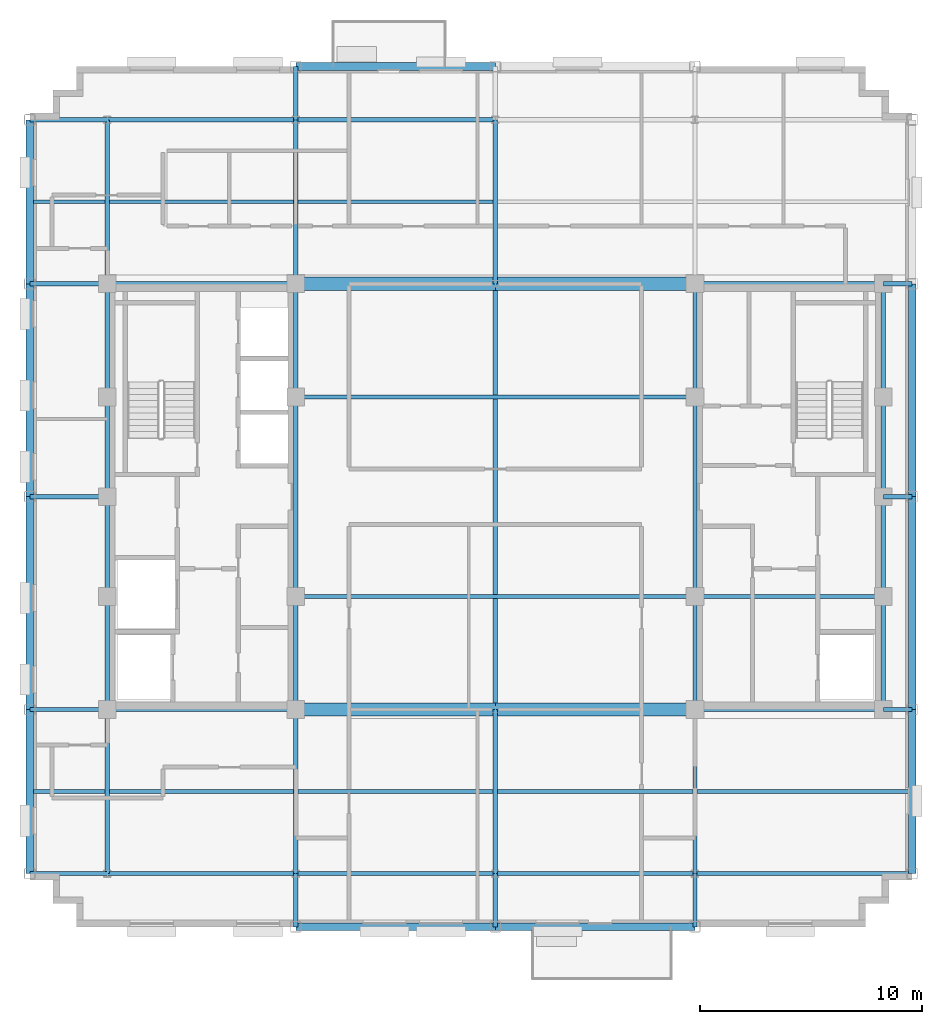
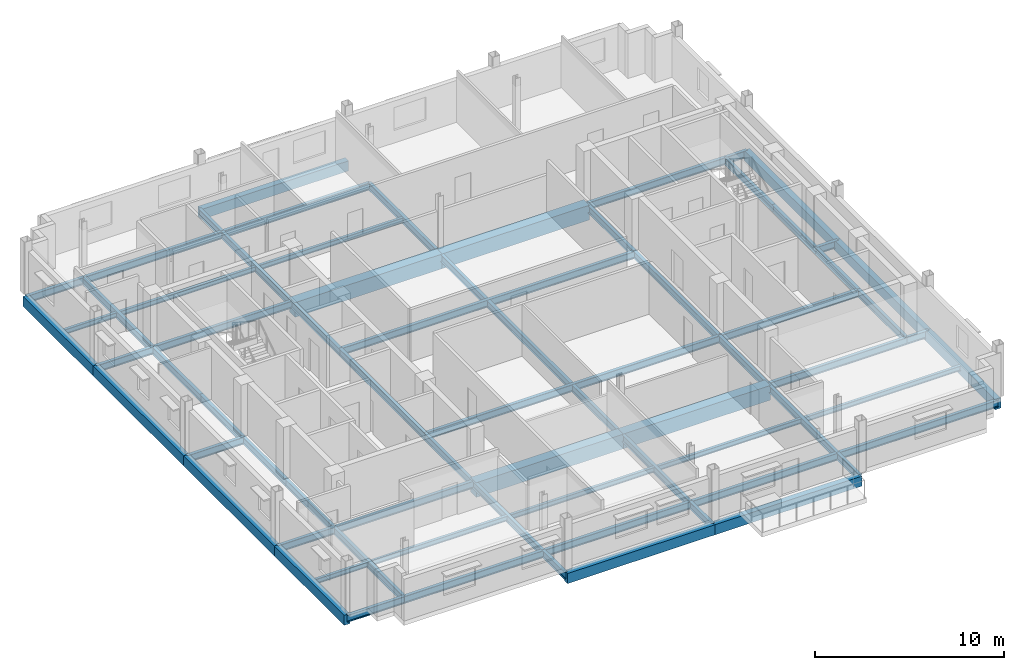
# One storey, part 4 of 13: 69 beams.
"""IFC4 building model written with IfcOpenShell, lengths in metres."""

from ifc_helpers import new_model, si_unit, direction, frame, origin, origin_2d, place, context, subcontext, project, spatial, rectangle, i_section, extrude, material, material_profile, profile_set, type_object, element, save


model = new_model("IFC4")

# Units and contexts
model_context = context("Model", 3, precision=1e-05, world=origin(), true_north=direction((0.0, 1.0)))
body_context = subcontext(model_context, "Body", "Model", "MODEL_VIEW")
ifc_project = project(units=[si_unit("LENGTHUNIT", "METRE"), si_unit("AREAUNIT", "SQUARE_METRE"), si_unit("VOLUMEUNIT", "CUBIC_METRE"), si_unit("PLANEANGLEUNIT", "RADIAN"), si_unit("MASSUNIT", "GRAM", prefix="KILO")], contexts=[model_context])

# Site, building, storey
site_placement = place(None, origin())
site = spatial("IfcSite", under=ifc_project, at=site_placement, CompositionType="ELEMENT")
building_placement = place(site_placement, origin())
building = spatial("IfcBuilding", under=site, at=building_placement, Name="Nuvemarco Arch Tower", CompositionType="ELEMENT")
storey_placement = place(building_placement, frame((0.0, 0.0, 265.25)))
storey = spatial("IfcBuildingStorey", under=building, at=storey_placement, Name="L70", CompositionType="ELEMENT", Elevation=265.25)

# Beams
ifc_material_1 = material(Name="Concrete C60/75", Category="concrete")
ifc_material_profile_1 = material_profile(ifc_material_1, rectangle(XDim=0.60009765625, YDim=0.949951171875, at=origin_2d()), Name="RC-BM-600x950")
ifc_profile_set_1 = profile_set([ifc_material_profile_1], Name="Concrete C60/75")
beam_type_1 = type_object("IfcBeamType", Name="BM-COUP-RC", PredefinedType="LINTEL", material=ifc_profile_set_1)
for number, where, z_axis, x_axis, name in (
    (1, (-9.0, -9.60009765625, -0.7548828125), (1.0, 0.0, 0.0), (0.0, 1.0, 0.0), "L70 structural beam BGEW_L70_0_-9.6_-9.0"),
    (2, (0.0, -9.60009765625, -0.7548828125), (1.0, 0.0, 0.0), (0.0, 1.0, 0.0), "L70 structural beam BGEW_L70_0_-9.6_+0.0"),
    (3, (-9.0, 9.60009765625, -0.7548828125), (1.0, 0.0, 0.0), (0.0, 1.0, 0.0), "L70 structural beam BGEW_L70_0_+9.6_-9.0"),
    (4, (0.0, 9.60009765625, -0.7548828125), (1.0, 0.0, 0.0), (0.0, 1.0, 0.0), "L70 structural beam BGEW_L70_0_+9.6_+0.0"),
):
    element("IfcBeam", number, at=place(storey_placement, frame(where, z_axis=z_axis, x_axis=x_axis)), inside=storey, type_object=beam_type_1, Name=name, PredefinedType="LINTEL", context=body_context, shape_type="SweptSolid", body=[
        extrude(rectangle(XDim=0.60009765625, YDim=0.949951171875, at=origin_2d()), origin(), (0.0, 0.0, 1.0), 9.0),
    ])
ifc_material_2 = material(Name="Steel S355", Category="steel")
ifc_material_profile_2 = material_profile(ifc_material_2, i_section(OverallWidth=0.19189453125, OverallDepth=0.462890625, WebThickness=0.010498046875, FlangeThickness=0.017578125, FilletRadius=0.014892578125, at=origin_2d()), Name="W460x89")
ifc_profile_set_2 = profile_set([ifc_material_profile_2], Name="Steel S355")
beam_type_2 = type_object("IfcBeamType", Name="BM-GIRD-460", PredefinedType="BEAM", material=ifc_profile_set_2)
beam_1_placement = place(storey_placement, frame((-17.5, -17.0, -0.511474609375), z_axis=(0.0, 1.0, 0.0), x_axis=(-1.0, 0.0, 0.0)))
element("IfcBeam", 5, at=beam_1_placement, inside=storey, type_object=beam_type_2, Name="L70 structural beam BGNS_L70_0_-17.5_-17.0", PredefinedType="BEAM", context=body_context, shape_type="SweptSolid", body=[
    extrude(i_section(OverallWidth=0.19189453125, OverallDepth=0.462890625, WebThickness=0.010498046875, FlangeThickness=0.017578125, FilletRadius=0.014892578125, at=origin_2d()), origin(), (0.0, 0.0, 1.0), 7.39990234375),
])
beam_2_placement = place(storey_placement, frame((-17.5, -9.60009765625, -0.511474609375), z_axis=(0.0, 1.0, 0.0), x_axis=(-1.0, 0.0, 0.0)))
element("IfcBeam", 6, at=beam_2_placement, inside=storey, type_object=beam_type_2, Name="L70 structural beam BGNS_L70_0_-17.5_-9.6", PredefinedType="BEAM", context=body_context, shape_type="SweptSolid", body=[
    extrude(i_section(OverallWidth=0.19189453125, OverallDepth=0.462890625, WebThickness=0.010498046875, FlangeThickness=0.017578125, FilletRadius=0.014892578125, at=origin_2d()), origin(), (0.0, 0.0, 1.0), 5.10009765625),
])
for number, where, z_axis, x_axis, name in (
    (7, (-17.5, -4.5, -0.511474609375), (0.0, 1.0, 0.0), (-1.0, 0.0, 0.0), "L70 structural beam BGNS_L70_0_-17.5_-4.5"),
    (8, (-17.5, 0.0, -0.511474609375), (0.0, 1.0, 0.0), (-1.0, 0.0, 0.0), "L70 structural beam BGNS_L70_0_-17.5_+0.0"),
):
    element("IfcBeam", number, at=place(storey_placement, frame(where, z_axis=z_axis, x_axis=x_axis)), inside=storey, type_object=beam_type_2, Name=name, PredefinedType="BEAM", context=body_context, shape_type="SweptSolid", body=[
        extrude(i_section(OverallWidth=0.19189453125, OverallDepth=0.462890625, WebThickness=0.010498046875, FlangeThickness=0.017578125, FilletRadius=0.014892578125, at=origin_2d()), origin(), (0.0, 0.0, 1.0), 4.5),
    ])
beam_3_placement = place(storey_placement, frame((-17.5, 4.5, -0.511474609375), z_axis=(0.0, 1.0, 0.0), x_axis=(-1.0, 0.0, 0.0)))
element("IfcBeam", 9, at=beam_3_placement, inside=storey, type_object=beam_type_2, Name="L70 structural beam BGNS_L70_0_-17.5_+4.5", PredefinedType="BEAM", context=body_context, shape_type="SweptSolid", body=[
    extrude(i_section(OverallWidth=0.19189453125, OverallDepth=0.462890625, WebThickness=0.010498046875, FlangeThickness=0.017578125, FilletRadius=0.014892578125, at=origin_2d()), origin(), (0.0, 0.0, 1.0), 5.10009765625),
])
beam_4_placement = place(storey_placement, frame((-17.5, 9.60009765625, -0.511474609375), z_axis=(0.0, 1.0, 0.0), x_axis=(-1.0, 0.0, 0.0)))
element("IfcBeam", 10, at=beam_4_placement, inside=storey, type_object=beam_type_2, Name="L70 structural beam BGNS_L70_0_-17.5_+9.6", PredefinedType="BEAM", context=body_context, shape_type="SweptSolid", body=[
    extrude(i_section(OverallWidth=0.19189453125, OverallDepth=0.462890625, WebThickness=0.010498046875, FlangeThickness=0.017578125, FilletRadius=0.014892578125, at=origin_2d()), origin(), (0.0, 0.0, 1.0), 7.39990234375),
])
beam_5_placement = place(storey_placement, frame((-9.0, -19.39990234375, -0.511474609375), z_axis=(0.0, 1.0, 0.0), x_axis=(-1.0, 0.0, 0.0)))
element("IfcBeam", 11, at=beam_5_placement, inside=storey, type_object=beam_type_2, Name="L70 structural beam BGNS_L70_0_-9.0_-19.4", PredefinedType="BEAM", context=body_context, shape_type="SweptSolid", body=[
    extrude(i_section(OverallWidth=0.19189453125, OverallDepth=0.462890625, WebThickness=0.010498046875, FlangeThickness=0.017578125, FilletRadius=0.014892578125, at=origin_2d()), origin(), (0.0, 0.0, 1.0), 2.39990234375),
])
beam_6_placement = place(storey_placement, frame((-9.0, -17.0, -0.511474609375), z_axis=(0.0, 1.0, 0.0), x_axis=(-1.0, 0.0, 0.0)))
element("IfcBeam", 12, at=beam_6_placement, inside=storey, type_object=beam_type_2, Name="L70 structural beam BGNS_L70_0_-9.0_-17.0", PredefinedType="BEAM", context=body_context, shape_type="SweptSolid", body=[
    extrude(i_section(OverallWidth=0.19189453125, OverallDepth=0.462890625, WebThickness=0.010498046875, FlangeThickness=0.017578125, FilletRadius=0.014892578125, at=origin_2d()), origin(), (0.0, 0.0, 1.0), 7.39990234375),
])
beam_7_placement = place(storey_placement, frame((-9.0, -9.60009765625, -0.511474609375), z_axis=(0.0, 1.0, 0.0), x_axis=(-1.0, 0.0, 0.0)))
element("IfcBeam", 13, at=beam_7_placement, inside=storey, type_object=beam_type_2, Name="L70 structural beam BGNS_L70_0_-9.0_-9.6", PredefinedType="BEAM", context=body_context, shape_type="SweptSolid", body=[
    extrude(i_section(OverallWidth=0.19189453125, OverallDepth=0.462890625, WebThickness=0.010498046875, FlangeThickness=0.017578125, FilletRadius=0.014892578125, at=origin_2d()), origin(), (0.0, 0.0, 1.0), 5.10009765625),
])
beam_8_placement = place(storey_placement, frame((-9.0, -4.5, -0.511474609375), z_axis=(0.0, 1.0, 0.0), x_axis=(-1.0, 0.0, 0.0)))
element("IfcBeam", 14, at=beam_8_placement, inside=storey, type_object=beam_type_2, Name="L70 structural beam BGNS_L70_0_-9.0_-4.5", PredefinedType="BEAM", context=body_context, shape_type="SweptSolid", body=[
    extrude(i_section(OverallWidth=0.19189453125, OverallDepth=0.462890625, WebThickness=0.010498046875, FlangeThickness=0.017578125, FilletRadius=0.014892578125, at=origin_2d()), origin(), (0.0, 0.0, 1.0), 9.0),
])
beam_9_placement = place(storey_placement, frame((-9.0, 4.5, -0.511474609375), z_axis=(0.0, 1.0, 0.0), x_axis=(-1.0, 0.0, 0.0)))
element("IfcBeam", 15, at=beam_9_placement, inside=storey, type_object=beam_type_2, Name="L70 structural beam BGNS_L70_0_-9.0_+4.5", PredefinedType="BEAM", context=body_context, shape_type="SweptSolid", body=[
    extrude(i_section(OverallWidth=0.19189453125, OverallDepth=0.462890625, WebThickness=0.010498046875, FlangeThickness=0.017578125, FilletRadius=0.014892578125, at=origin_2d()), origin(), (0.0, 0.0, 1.0), 5.10009765625),
])
beam_10_placement = place(storey_placement, frame((-9.0, 9.60009765625, -0.511474609375), z_axis=(0.0, 1.0, 0.0), x_axis=(-1.0, 0.0, 0.0)))
element("IfcBeam", 16, at=beam_10_placement, inside=storey, type_object=beam_type_2, Name="L70 structural beam BGNS_L70_0_-9.0_+9.6", PredefinedType="BEAM", context=body_context, shape_type="SweptSolid", body=[
    extrude(i_section(OverallWidth=0.19189453125, OverallDepth=0.462890625, WebThickness=0.010498046875, FlangeThickness=0.017578125, FilletRadius=0.014892578125, at=origin_2d()), origin(), (0.0, 0.0, 1.0), 7.39990234375),
])
for number, where, z_axis, x_axis, name in (
    (17, (-9.0, 17.0, -0.511474609375), (0.0, 1.0, 0.0), (-1.0, 0.0, 0.0), "L70 structural beam BGNS_L70_0_-9.0_+17.0"),
    (18, (0.0, -19.39990234375, -0.511474609375), (0.0, 1.0, 0.0), (-1.0, 0.0, 0.0), "L70 structural beam BGNS_L70_0_+0.0_-19.4"),
):
    element("IfcBeam", number, at=place(storey_placement, frame(where, z_axis=z_axis, x_axis=x_axis)), inside=storey, type_object=beam_type_2, Name=name, PredefinedType="BEAM", context=body_context, shape_type="SweptSolid", body=[
        extrude(i_section(OverallWidth=0.19189453125, OverallDepth=0.462890625, WebThickness=0.010498046875, FlangeThickness=0.017578125, FilletRadius=0.014892578125, at=origin_2d()), origin(), (0.0, 0.0, 1.0), 2.39990234375),
    ])
beam_11_placement = place(storey_placement, frame((0.0, -17.0, -0.511474609375), z_axis=(0.0, 1.0, 0.0), x_axis=(-1.0, 0.0, 0.0)))
element("IfcBeam", 19, at=beam_11_placement, inside=storey, type_object=beam_type_2, Name="L70 structural beam BGNS_L70_0_+0.0_-17.0", PredefinedType="BEAM", context=body_context, shape_type="SweptSolid", body=[
    extrude(i_section(OverallWidth=0.19189453125, OverallDepth=0.462890625, WebThickness=0.010498046875, FlangeThickness=0.017578125, FilletRadius=0.014892578125, at=origin_2d()), origin(), (0.0, 0.0, 1.0), 7.39990234375),
])
beam_12_placement = place(storey_placement, frame((0.0, -9.60009765625, -0.511474609375), z_axis=(0.0, 1.0, 0.0), x_axis=(-1.0, 0.0, 0.0)))
element("IfcBeam", 20, at=beam_12_placement, inside=storey, type_object=beam_type_2, Name="L70 structural beam BGNS_L70_0_+0.0_-9.6", PredefinedType="BEAM", context=body_context, shape_type="SweptSolid", body=[
    extrude(i_section(OverallWidth=0.19189453125, OverallDepth=0.462890625, WebThickness=0.010498046875, FlangeThickness=0.017578125, FilletRadius=0.014892578125, at=origin_2d()), origin(), (0.0, 0.0, 1.0), 19.2001953125),
])
beam_13_placement = place(storey_placement, frame((0.0, 9.60009765625, -0.511474609375), z_axis=(0.0, 1.0, 0.0), x_axis=(-1.0, 0.0, 0.0)))
element("IfcBeam", 21, at=beam_13_placement, inside=storey, type_object=beam_type_2, Name="L70 structural beam BGNS_L70_0_+0.0_+9.6", PredefinedType="BEAM", context=body_context, shape_type="SweptSolid", body=[
    extrude(i_section(OverallWidth=0.19189453125, OverallDepth=0.462890625, WebThickness=0.010498046875, FlangeThickness=0.017578125, FilletRadius=0.014892578125, at=origin_2d()), origin(), (0.0, 0.0, 1.0), 7.39990234375),
])
beam_14_placement = place(storey_placement, frame((9.0, -19.39990234375, -0.511474609375), z_axis=(0.0, 1.0, 0.0), x_axis=(-1.0, 0.0, 0.0)))
element("IfcBeam", 22, at=beam_14_placement, inside=storey, type_object=beam_type_2, Name="L70 structural beam BGNS_L70_0_+9.0_-19.4", PredefinedType="BEAM", context=body_context, shape_type="SweptSolid", body=[
    extrude(i_section(OverallWidth=0.19189453125, OverallDepth=0.462890625, WebThickness=0.010498046875, FlangeThickness=0.017578125, FilletRadius=0.014892578125, at=origin_2d()), origin(), (0.0, 0.0, 1.0), 2.39990234375),
])
beam_15_placement = place(storey_placement, frame((9.0, -17.0, -0.511474609375), z_axis=(0.0, 1.0, 0.0), x_axis=(-1.0, 0.0, 0.0)))
element("IfcBeam", 23, at=beam_15_placement, inside=storey, type_object=beam_type_2, Name="L70 structural beam BGNS_L70_0_+9.0_-17.0", PredefinedType="BEAM", context=body_context, shape_type="SweptSolid", body=[
    extrude(i_section(OverallWidth=0.19189453125, OverallDepth=0.462890625, WebThickness=0.010498046875, FlangeThickness=0.017578125, FilletRadius=0.014892578125, at=origin_2d()), origin(), (0.0, 0.0, 1.0), 7.39990234375),
])
beam_16_placement = place(storey_placement, frame((9.0, -9.60009765625, -0.511474609375), z_axis=(0.0, 1.0, 0.0), x_axis=(-1.0, 0.0, 0.0)))
element("IfcBeam", 24, at=beam_16_placement, inside=storey, type_object=beam_type_2, Name="L70 structural beam BGNS_L70_0_+9.0_-9.6", PredefinedType="BEAM", context=body_context, shape_type="SweptSolid", body=[
    extrude(i_section(OverallWidth=0.19189453125, OverallDepth=0.462890625, WebThickness=0.010498046875, FlangeThickness=0.017578125, FilletRadius=0.014892578125, at=origin_2d()), origin(), (0.0, 0.0, 1.0), 5.10009765625),
])
beam_17_placement = place(storey_placement, frame((9.0, -4.5, -0.511474609375), z_axis=(0.0, 1.0, 0.0), x_axis=(-1.0, 0.0, 0.0)))
element("IfcBeam", 25, at=beam_17_placement, inside=storey, type_object=beam_type_2, Name="L70 structural beam BGNS_L70_0_+9.0_-4.5", PredefinedType="BEAM", context=body_context, shape_type="SweptSolid", body=[
    extrude(i_section(OverallWidth=0.19189453125, OverallDepth=0.462890625, WebThickness=0.010498046875, FlangeThickness=0.017578125, FilletRadius=0.014892578125, at=origin_2d()), origin(), (0.0, 0.0, 1.0), 9.0),
])
for number, where, z_axis, x_axis, name in (
    (26, (9.0, 4.5, -0.511474609375), (0.0, 1.0, 0.0), (-1.0, 0.0, 0.0), "L70 structural beam BGNS_L70_0_+9.0_+4.5"),
    (27, (17.5, -9.60009765625, -0.511474609375), (0.0, 1.0, 0.0), (-1.0, 0.0, 0.0), "L70 structural beam BGNS_L70_0_+17.5_-9.6"),
):
    element("IfcBeam", number, at=place(storey_placement, frame(where, z_axis=z_axis, x_axis=x_axis)), inside=storey, type_object=beam_type_2, Name=name, PredefinedType="BEAM", context=body_context, shape_type="SweptSolid", body=[
        extrude(i_section(OverallWidth=0.19189453125, OverallDepth=0.462890625, WebThickness=0.010498046875, FlangeThickness=0.017578125, FilletRadius=0.014892578125, at=origin_2d()), origin(), (0.0, 0.0, 1.0), 5.10009765625),
    ])
for number, where, z_axis, x_axis, name in (
    (28, (17.5, -4.5, -0.511474609375), (0.0, 1.0, 0.0), (-1.0, 0.0, 0.0), "L70 structural beam BGNS_L70_0_+17.5_-4.5"),
    (29, (17.5, 0.0, -0.511474609375), (0.0, 1.0, 0.0), (-1.0, 0.0, 0.0), "L70 structural beam BGNS_L70_0_+17.5_+0.0"),
):
    element("IfcBeam", number, at=place(storey_placement, frame(where, z_axis=z_axis, x_axis=x_axis)), inside=storey, type_object=beam_type_2, Name=name, PredefinedType="BEAM", context=body_context, shape_type="SweptSolid", body=[
        extrude(i_section(OverallWidth=0.19189453125, OverallDepth=0.462890625, WebThickness=0.010498046875, FlangeThickness=0.017578125, FilletRadius=0.014892578125, at=origin_2d()), origin(), (0.0, 0.0, 1.0), 4.5),
    ])
beam_18_placement = place(storey_placement, frame((17.5, 4.5, -0.511474609375), z_axis=(0.0, 1.0, 0.0), x_axis=(-1.0, 0.0, 0.0)))
element("IfcBeam", 30, at=beam_18_placement, inside=storey, type_object=beam_type_2, Name="L70 structural beam BGNS_L70_0_+17.5_+4.5", PredefinedType="BEAM", context=body_context, shape_type="SweptSolid", body=[
    extrude(i_section(OverallWidth=0.19189453125, OverallDepth=0.462890625, WebThickness=0.010498046875, FlangeThickness=0.017578125, FilletRadius=0.014892578125, at=origin_2d()), origin(), (0.0, 0.0, 1.0), 5.10009765625),
])
beam_19_placement = place(storey_placement, frame((-21.0, -17.0, -0.511474609375), z_axis=(1.0, 0.0, 0.0), x_axis=(0.0, 1.0, 0.0)))
element("IfcBeam", 31, at=beam_19_placement, inside=storey, type_object=beam_type_2, Name="L70 structural beam BGEW_L70_0_-17.0_-21.0", PredefinedType="BEAM", context=body_context, shape_type="SweptSolid", body=[
    extrude(i_section(OverallWidth=0.19189453125, OverallDepth=0.462890625, WebThickness=0.010498046875, FlangeThickness=0.017578125, FilletRadius=0.014892578125, at=origin_2d()), origin(), (0.0, 0.0, 1.0), 3.5),
])
beam_20_placement = place(storey_placement, frame((-17.5, -17.0, -0.511474609375), z_axis=(1.0, 0.0, 0.0), x_axis=(0.0, 1.0, 0.0)))
element("IfcBeam", 32, at=beam_20_placement, inside=storey, type_object=beam_type_2, Name="L70 structural beam BGEW_L70_0_-17.0_-17.5", PredefinedType="BEAM", context=body_context, shape_type="SweptSolid", body=[
    extrude(i_section(OverallWidth=0.19189453125, OverallDepth=0.462890625, WebThickness=0.010498046875, FlangeThickness=0.017578125, FilletRadius=0.014892578125, at=origin_2d()), origin(), (0.0, 0.0, 1.0), 8.5),
])
for number, where, z_axis, x_axis, name in (
    (33, (-9.0, -17.0, -0.511474609375), (1.0, 0.0, 0.0), (0.0, 1.0, 0.0), "L70 structural beam BGEW_L70_0_-17.0_-9.0"),
    (34, (0.0, -17.0, -0.511474609375), (1.0, 0.0, 0.0), (0.0, 1.0, 0.0), "L70 structural beam BGEW_L70_0_-17.0_+0.0"),
):
    element("IfcBeam", number, at=place(storey_placement, frame(where, z_axis=z_axis, x_axis=x_axis)), inside=storey, type_object=beam_type_2, Name=name, PredefinedType="BEAM", context=body_context, shape_type="SweptSolid", body=[
        extrude(i_section(OverallWidth=0.19189453125, OverallDepth=0.462890625, WebThickness=0.010498046875, FlangeThickness=0.017578125, FilletRadius=0.014892578125, at=origin_2d()), origin(), (0.0, 0.0, 1.0), 9.0),
    ])
beam_21_placement = place(storey_placement, frame((9.0, -17.0, -0.511474609375), z_axis=(1.0, 0.0, 0.0), x_axis=(0.0, 1.0, 0.0)))
element("IfcBeam", 35, at=beam_21_placement, inside=storey, type_object=beam_type_2, Name="L70 structural beam BGEW_L70_0_-17.0_+9.0", PredefinedType="BEAM", context=body_context, shape_type="SweptSolid", body=[
    extrude(i_section(OverallWidth=0.19189453125, OverallDepth=0.462890625, WebThickness=0.010498046875, FlangeThickness=0.017578125, FilletRadius=0.014892578125, at=origin_2d()), origin(), (0.0, 0.0, 1.0), 9.800048828125),
])
beam_22_placement = place(storey_placement, frame((-21.0, -9.60009765625, -0.511474609375), z_axis=(1.0, 0.0, 0.0), x_axis=(0.0, 1.0, 0.0)))
element("IfcBeam", 36, at=beam_22_placement, inside=storey, type_object=beam_type_2, Name="L70 structural beam BGEW_L70_0_-9.6_-21.0", PredefinedType="BEAM", context=body_context, shape_type="SweptSolid", body=[
    extrude(i_section(OverallWidth=0.19189453125, OverallDepth=0.462890625, WebThickness=0.010498046875, FlangeThickness=0.017578125, FilletRadius=0.014892578125, at=origin_2d()), origin(), (0.0, 0.0, 1.0), 3.5),
])
for number, where, z_axis, x_axis, name in (
    (37, (-17.5, -9.60009765625, -0.511474609375), (1.0, 0.0, 0.0), (0.0, 1.0, 0.0), "L70 structural beam BGEW_L70_0_-9.6_-17.5"),
    (38, (9.0, -9.60009765625, -0.511474609375), (1.0, 0.0, 0.0), (0.0, 1.0, 0.0), "L70 structural beam BGEW_L70_0_-9.6_+9.0"),
):
    element("IfcBeam", number, at=place(storey_placement, frame(where, z_axis=z_axis, x_axis=x_axis)), inside=storey, type_object=beam_type_2, Name=name, PredefinedType="BEAM", context=body_context, shape_type="SweptSolid", body=[
        extrude(i_section(OverallWidth=0.19189453125, OverallDepth=0.462890625, WebThickness=0.010498046875, FlangeThickness=0.017578125, FilletRadius=0.014892578125, at=origin_2d()), origin(), (0.0, 0.0, 1.0), 8.5),
    ])
beam_23_placement = place(storey_placement, frame((17.5, -9.60009765625, -0.511474609375), z_axis=(1.0, 0.0, 0.0), x_axis=(0.0, 1.0, 0.0)))
element("IfcBeam", 39, at=beam_23_placement, inside=storey, type_object=beam_type_2, Name="L70 structural beam BGEW_L70_0_-9.6_+17.5", PredefinedType="BEAM", context=body_context, shape_type="SweptSolid", body=[
    extrude(i_section(OverallWidth=0.19189453125, OverallDepth=0.462890625, WebThickness=0.010498046875, FlangeThickness=0.017578125, FilletRadius=0.014892578125, at=origin_2d()), origin(), (0.0, 0.0, 1.0), 1.300048828125),
])
beam_24_placement = place(storey_placement, frame((-9.0, -4.5, -0.511474609375), z_axis=(1.0, 0.0, 0.0), x_axis=(0.0, 1.0, 0.0)))
element("IfcBeam", 40, at=beam_24_placement, inside=storey, type_object=beam_type_2, Name="L70 structural beam BGEW_L70_0_-4.5_-9.0", PredefinedType="BEAM", context=body_context, shape_type="SweptSolid", body=[
    extrude(i_section(OverallWidth=0.19189453125, OverallDepth=0.462890625, WebThickness=0.010498046875, FlangeThickness=0.017578125, FilletRadius=0.014892578125, at=origin_2d()), origin(), (0.0, 0.0, 1.0), 18.0),
])
beam_25_placement = place(storey_placement, frame((9.0, -4.5, -0.511474609375), z_axis=(1.0, 0.0, 0.0), x_axis=(0.0, 1.0, 0.0)))
element("IfcBeam", 41, at=beam_25_placement, inside=storey, type_object=beam_type_2, Name="L70 structural beam BGEW_L70_0_-4.5_+9.0", PredefinedType="BEAM", context=body_context, shape_type="SweptSolid", body=[
    extrude(i_section(OverallWidth=0.19189453125, OverallDepth=0.462890625, WebThickness=0.010498046875, FlangeThickness=0.017578125, FilletRadius=0.014892578125, at=origin_2d()), origin(), (0.0, 0.0, 1.0), 8.5),
])
beam_26_placement = place(storey_placement, frame((-21.0, 0.0, -0.511474609375), z_axis=(1.0, 0.0, 0.0), x_axis=(0.0, 1.0, 0.0)))
element("IfcBeam", 42, at=beam_26_placement, inside=storey, type_object=beam_type_2, Name="L70 structural beam BGEW_L70_0_+0.0_-21.0", PredefinedType="BEAM", context=body_context, shape_type="SweptSolid", body=[
    extrude(i_section(OverallWidth=0.19189453125, OverallDepth=0.462890625, WebThickness=0.010498046875, FlangeThickness=0.017578125, FilletRadius=0.014892578125, at=origin_2d()), origin(), (0.0, 0.0, 1.0), 3.5),
])
beam_27_placement = place(storey_placement, frame((17.5, 0.0, -0.511474609375), z_axis=(1.0, 0.0, 0.0), x_axis=(0.0, 1.0, 0.0)))
element("IfcBeam", 43, at=beam_27_placement, inside=storey, type_object=beam_type_2, Name="L70 structural beam BGEW_L70_0_+0.0_+17.5", PredefinedType="BEAM", context=body_context, shape_type="SweptSolid", body=[
    extrude(i_section(OverallWidth=0.19189453125, OverallDepth=0.462890625, WebThickness=0.010498046875, FlangeThickness=0.017578125, FilletRadius=0.014892578125, at=origin_2d()), origin(), (0.0, 0.0, 1.0), 1.300048828125),
])
beam_28_placement = place(storey_placement, frame((-9.0, 4.5, -0.511474609375), z_axis=(1.0, 0.0, 0.0), x_axis=(0.0, 1.0, 0.0)))
element("IfcBeam", 44, at=beam_28_placement, inside=storey, type_object=beam_type_2, Name="L70 structural beam BGEW_L70_0_+4.5_-9.0", PredefinedType="BEAM", context=body_context, shape_type="SweptSolid", body=[
    extrude(i_section(OverallWidth=0.19189453125, OverallDepth=0.462890625, WebThickness=0.010498046875, FlangeThickness=0.017578125, FilletRadius=0.014892578125, at=origin_2d()), origin(), (0.0, 0.0, 1.0), 18.0),
])
beam_29_placement = place(storey_placement, frame((-21.0, 9.60009765625, -0.511474609375), z_axis=(1.0, 0.0, 0.0), x_axis=(0.0, 1.0, 0.0)))
element("IfcBeam", 45, at=beam_29_placement, inside=storey, type_object=beam_type_2, Name="L70 structural beam BGEW_L70_0_+9.6_-21.0", PredefinedType="BEAM", context=body_context, shape_type="SweptSolid", body=[
    extrude(i_section(OverallWidth=0.19189453125, OverallDepth=0.462890625, WebThickness=0.010498046875, FlangeThickness=0.017578125, FilletRadius=0.014892578125, at=origin_2d()), origin(), (0.0, 0.0, 1.0), 3.5),
])
for number, where, z_axis, x_axis, name in (
    (46, (-17.5, 9.60009765625, -0.511474609375), (1.0, 0.0, 0.0), (0.0, 1.0, 0.0), "L70 structural beam BGEW_L70_0_+9.6_-17.5"),
    (47, (9.0, 9.60009765625, -0.511474609375), (1.0, 0.0, 0.0), (0.0, 1.0, 0.0), "L70 structural beam BGEW_L70_0_+9.6_+9.0"),
):
    element("IfcBeam", number, at=place(storey_placement, frame(where, z_axis=z_axis, x_axis=x_axis)), inside=storey, type_object=beam_type_2, Name=name, PredefinedType="BEAM", context=body_context, shape_type="SweptSolid", body=[
        extrude(i_section(OverallWidth=0.19189453125, OverallDepth=0.462890625, WebThickness=0.010498046875, FlangeThickness=0.017578125, FilletRadius=0.014892578125, at=origin_2d()), origin(), (0.0, 0.0, 1.0), 8.5),
    ])
beam_30_placement = place(storey_placement, frame((17.5, 9.60009765625, -0.511474609375), z_axis=(1.0, 0.0, 0.0), x_axis=(0.0, 1.0, 0.0)))
element("IfcBeam", 48, at=beam_30_placement, inside=storey, type_object=beam_type_2, Name="L70 structural beam BGEW_L70_0_+9.6_+17.5", PredefinedType="BEAM", context=body_context, shape_type="SweptSolid", body=[
    extrude(i_section(OverallWidth=0.19189453125, OverallDepth=0.462890625, WebThickness=0.010498046875, FlangeThickness=0.017578125, FilletRadius=0.014892578125, at=origin_2d()), origin(), (0.0, 0.0, 1.0), 1.300048828125),
])
beam_31_placement = place(storey_placement, frame((-21.0, 17.0, -0.511474609375), z_axis=(1.0, 0.0, 0.0), x_axis=(0.0, 1.0, 0.0)))
element("IfcBeam", 49, at=beam_31_placement, inside=storey, type_object=beam_type_2, Name="L70 structural beam BGEW_L70_0_+17.0_-21.0", PredefinedType="BEAM", context=body_context, shape_type="SweptSolid", body=[
    extrude(i_section(OverallWidth=0.19189453125, OverallDepth=0.462890625, WebThickness=0.010498046875, FlangeThickness=0.017578125, FilletRadius=0.014892578125, at=origin_2d()), origin(), (0.0, 0.0, 1.0), 3.5),
])
beam_32_placement = place(storey_placement, frame((-17.5, 17.0, -0.511474609375), z_axis=(1.0, 0.0, 0.0), x_axis=(0.0, 1.0, 0.0)))
element("IfcBeam", 50, at=beam_32_placement, inside=storey, type_object=beam_type_2, Name="L70 structural beam BGEW_L70_0_+17.0_-17.5", PredefinedType="BEAM", context=body_context, shape_type="SweptSolid", body=[
    extrude(i_section(OverallWidth=0.19189453125, OverallDepth=0.462890625, WebThickness=0.010498046875, FlangeThickness=0.017578125, FilletRadius=0.014892578125, at=origin_2d()), origin(), (0.0, 0.0, 1.0), 8.5),
])
beam_33_placement = place(storey_placement, frame((-9.0, 17.0, -0.511474609375), z_axis=(1.0, 0.0, 0.0), x_axis=(0.0, 1.0, 0.0)))
element("IfcBeam", 51, at=beam_33_placement, inside=storey, type_object=beam_type_2, Name="L70 structural beam BGEW_L70_0_+17.0_-9.0", PredefinedType="BEAM", context=body_context, shape_type="SweptSolid", body=[
    extrude(i_section(OverallWidth=0.19189453125, OverallDepth=0.462890625, WebThickness=0.010498046875, FlangeThickness=0.017578125, FilletRadius=0.014892578125, at=origin_2d()), origin(), (0.0, 0.0, 1.0), 9.0),
])
ifc_material_profile_3 = material_profile(ifc_material_2, i_section(OverallWidth=0.1669921875, OverallDepth=0.31689453125, WebThickness=0.007568359375, FlangeThickness=0.01318359375, FilletRadius=0.010009765625, at=origin_2d()), Name="W310x52")
ifc_profile_set_3 = profile_set([ifc_material_profile_3], Name="Steel S355")
beam_type_3 = type_object("IfcBeamType", Name="BM-JOIST-310", PredefinedType="JOIST", material=ifc_profile_set_3)
beam_34_placement = place(storey_placement, frame((-20.824951171875, -13.300048828125, -0.4384765625), z_axis=(1.0, 0.0, 0.0), x_axis=(0.0, 1.0, 0.0)))
element("IfcBeam", 52, at=beam_34_placement, inside=storey, type_object=beam_type_3, Name="L70 structural beam BJ_L70_0_-13.3_-21.0", PredefinedType="JOIST", context=body_context, shape_type="SweptSolid", body=[
    extrude(i_section(OverallWidth=0.1669921875, OverallDepth=0.31689453125, WebThickness=0.007568359375, FlangeThickness=0.01318359375, FilletRadius=0.010009765625, at=origin_2d()), origin(), (0.0, 0.0, 1.0), 3.22900390625),
])
beam_35_placement = place(storey_placement, frame((-17.404052734375, -13.300048828125, -0.4384765625), z_axis=(1.0, 0.0, 0.0), x_axis=(0.0, 1.0, 0.0)))
element("IfcBeam", 53, at=beam_35_placement, inside=storey, type_object=beam_type_3, Name="L70 structural beam BJ_L70_0_-13.3_-17.5", PredefinedType="JOIST", context=body_context, shape_type="SweptSolid", body=[
    extrude(i_section(OverallWidth=0.1669921875, OverallDepth=0.31689453125, WebThickness=0.007568359375, FlangeThickness=0.01318359375, FilletRadius=0.010009765625, at=origin_2d()), origin(), (0.0, 0.0, 1.0), 8.30810546875),
])
for number, where, z_axis, x_axis, name in (
    (54, (-8.904052734375, -13.300048828125, -0.4384765625), (1.0, 0.0, 0.0), (0.0, 1.0, 0.0), "L70 structural beam BJ_L70_0_-13.3_-9.0"),
    (55, (0.095947265625, -13.300048828125, -0.4384765625), (1.0, 0.0, 0.0), (0.0, 1.0, 0.0), "L70 structural beam BJ_L70_0_-13.3_+0.0"),
):
    element("IfcBeam", number, at=place(storey_placement, frame(where, z_axis=z_axis, x_axis=x_axis)), inside=storey, type_object=beam_type_3, Name=name, PredefinedType="JOIST", context=body_context, shape_type="SweptSolid", body=[
        extrude(i_section(OverallWidth=0.1669921875, OverallDepth=0.31689453125, WebThickness=0.007568359375, FlangeThickness=0.01318359375, FilletRadius=0.010009765625, at=origin_2d()), origin(), (0.0, 0.0, 1.0), 8.80810546875),
    ])
beam_36_placement = place(storey_placement, frame((9.095947265625, -13.300048828125, -0.4384765625), z_axis=(1.0, 0.0, 0.0), x_axis=(0.0, 1.0, 0.0)))
element("IfcBeam", 56, at=beam_36_placement, inside=storey, type_object=beam_type_3, Name="L70 structural beam BJ_L70_0_-13.3_+9.0", PredefinedType="JOIST", context=body_context, shape_type="SweptSolid", body=[
    extrude(i_section(OverallWidth=0.1669921875, OverallDepth=0.31689453125, WebThickness=0.007568359375, FlangeThickness=0.01318359375, FilletRadius=0.010009765625, at=origin_2d()), origin(), (0.0, 0.0, 1.0), 9.529052734375),
])
beam_37_placement = place(storey_placement, frame((-20.824951171875, 13.300048828125, -0.4384765625), z_axis=(1.0, 0.0, 0.0), x_axis=(0.0, 1.0, 0.0)))
element("IfcBeam", 57, at=beam_37_placement, inside=storey, type_object=beam_type_3, Name="L70 structural beam BJ_L70_0_+13.3_-21.0", PredefinedType="JOIST", context=body_context, shape_type="SweptSolid", body=[
    extrude(i_section(OverallWidth=0.1669921875, OverallDepth=0.31689453125, WebThickness=0.007568359375, FlangeThickness=0.01318359375, FilletRadius=0.010009765625, at=origin_2d()), origin(), (0.0, 0.0, 1.0), 3.22900390625),
])
beam_38_placement = place(storey_placement, frame((-17.404052734375, 13.300048828125, -0.4384765625), z_axis=(1.0, 0.0, 0.0), x_axis=(0.0, 1.0, 0.0)))
element("IfcBeam", 58, at=beam_38_placement, inside=storey, type_object=beam_type_3, Name="L70 structural beam BJ_L70_0_+13.3_-17.5", PredefinedType="JOIST", context=body_context, shape_type="SweptSolid", body=[
    extrude(i_section(OverallWidth=0.1669921875, OverallDepth=0.31689453125, WebThickness=0.007568359375, FlangeThickness=0.01318359375, FilletRadius=0.010009765625, at=origin_2d()), origin(), (0.0, 0.0, 1.0), 8.30810546875),
])
beam_39_placement = place(storey_placement, frame((-8.904052734375, 13.300048828125, -0.4384765625), z_axis=(1.0, 0.0, 0.0), x_axis=(0.0, 1.0, 0.0)))
element("IfcBeam", 59, at=beam_39_placement, inside=storey, type_object=beam_type_3, Name="L70 structural beam BJ_L70_0_+13.3_-9.0", PredefinedType="JOIST", context=body_context, shape_type="SweptSolid", body=[
    extrude(i_section(OverallWidth=0.1669921875, OverallDepth=0.31689453125, WebThickness=0.007568359375, FlangeThickness=0.01318359375, FilletRadius=0.010009765625, at=origin_2d()), origin(), (0.0, 0.0, 1.0), 8.80810546875),
])
ifc_material_3 = material(Name="Precast concrete C45/55", Category="concrete")
ifc_material_profile_4 = material_profile(ifc_material_3, rectangle(XDim=0.35009765625, YDim=0.64990234375, at=origin_2d()), Name="PC-SP-350x650")
ifc_profile_set_4 = profile_set([ifc_material_profile_4], Name="Precast concrete C45/55")
beam_type_4 = type_object("IfcBeamType", Name="BM-SPAN-RC", PredefinedType="SPANDREL", material=ifc_profile_set_4)
beam_40_placement = place(storey_placement, frame((-21.0, -17.0, -0.60498046875), z_axis=(0.0, 1.0, 0.0), x_axis=(-1.0, 0.0, 0.0)))
element("IfcBeam", 60, at=beam_40_placement, inside=storey, type_object=beam_type_4, Name="L70 structural beam BGNS_L70_0_-21.0_-17.0", PredefinedType="SPANDREL", context=body_context, shape_type="SweptSolid", body=[
    extrude(rectangle(XDim=0.35009765625, YDim=0.64990234375, at=origin_2d()), origin(), (0.0, 0.0, 1.0), 7.39990234375),
])
for number, where, z_axis, x_axis, name in (
    (61, (-21.0, -9.60009765625, -0.60498046875), (0.0, 1.0, 0.0), (-1.0, 0.0, 0.0), "L70 structural beam BGNS_L70_0_-21.0_-9.6"),
    (62, (-21.0, 0.0, -0.60498046875), (0.0, 1.0, 0.0), (-1.0, 0.0, 0.0), "L70 structural beam BGNS_L70_0_-21.0_+0.0"),
):
    element("IfcBeam", number, at=place(storey_placement, frame(where, z_axis=z_axis, x_axis=x_axis)), inside=storey, type_object=beam_type_4, Name=name, PredefinedType="SPANDREL", context=body_context, shape_type="SweptSolid", body=[
        extrude(rectangle(XDim=0.35009765625, YDim=0.64990234375, at=origin_2d()), origin(), (0.0, 0.0, 1.0), 9.60009765625),
    ])
for number, where, z_axis, x_axis, name in (
    (63, (-21.0, 9.60009765625, -0.60498046875), (0.0, 1.0, 0.0), (-1.0, 0.0, 0.0), "L70 structural beam BGNS_L70_0_-21.0_+9.6"),
    (64, (18.800048828125, -17.0, -0.60498046875), (0.0, 1.0, 0.0), (-1.0, 0.0, 0.0), "L70 structural beam BGNS_L70_0_+18.8_-17.0"),
):
    element("IfcBeam", number, at=place(storey_placement, frame(where, z_axis=z_axis, x_axis=x_axis)), inside=storey, type_object=beam_type_4, Name=name, PredefinedType="SPANDREL", context=body_context, shape_type="SweptSolid", body=[
        extrude(rectangle(XDim=0.35009765625, YDim=0.64990234375, at=origin_2d()), origin(), (0.0, 0.0, 1.0), 7.39990234375),
    ])
for number, where, z_axis, x_axis, name in (
    (65, (18.800048828125, -9.60009765625, -0.60498046875), (0.0, 1.0, 0.0), (-1.0, 0.0, 0.0), "L70 structural beam BGNS_L70_0_+18.8_-9.6"),
    (66, (18.800048828125, 0.0, -0.60498046875), (0.0, 1.0, 0.0), (-1.0, 0.0, 0.0), "L70 structural beam BGNS_L70_0_+18.8_+0.0"),
):
    element("IfcBeam", number, at=place(storey_placement, frame(where, z_axis=z_axis, x_axis=x_axis)), inside=storey, type_object=beam_type_4, Name=name, PredefinedType="SPANDREL", context=body_context, shape_type="SweptSolid", body=[
        extrude(rectangle(XDim=0.35009765625, YDim=0.64990234375, at=origin_2d()), origin(), (0.0, 0.0, 1.0), 9.60009765625),
    ])
for number, where, z_axis, x_axis, name in (
    (67, (-9.0, -19.39990234375, -0.60498046875), (1.0, 0.0, 0.0), (0.0, 1.0, 0.0), "L70 structural beam BGEW_L70_0_-19.4_-9.0"),
    (68, (0.0, -19.39990234375, -0.60498046875), (1.0, 0.0, 0.0), (0.0, 1.0, 0.0), "L70 structural beam BGEW_L70_0_-19.4_+0.0"),
    (69, (-9.0, 19.39990234375, -0.60498046875), (1.0, 0.0, 0.0), (0.0, 1.0, 0.0), "L70 structural beam BGEW_L70_0_+19.4_-9.0"),
):
    element("IfcBeam", number, at=place(storey_placement, frame(where, z_axis=z_axis, x_axis=x_axis)), inside=storey, type_object=beam_type_4, Name=name, PredefinedType="SPANDREL", context=body_context, shape_type="SweptSolid", body=[
        extrude(rectangle(XDim=0.35009765625, YDim=0.64990234375, at=origin_2d()), origin(), (0.0, 0.0, 1.0), 9.0),
    ])

save(model, "model.ifc")
